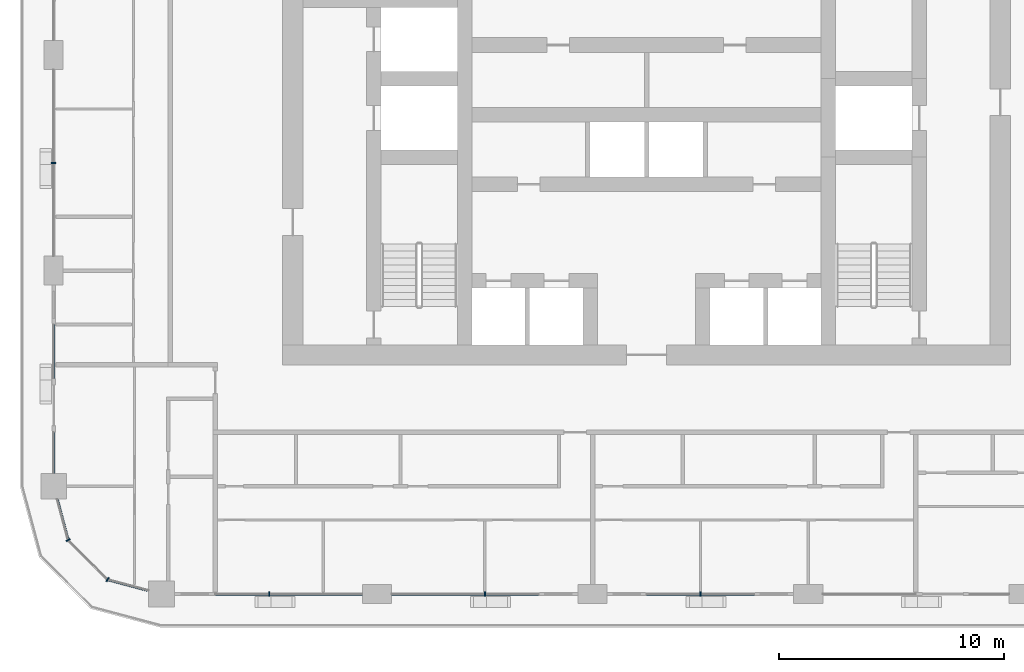
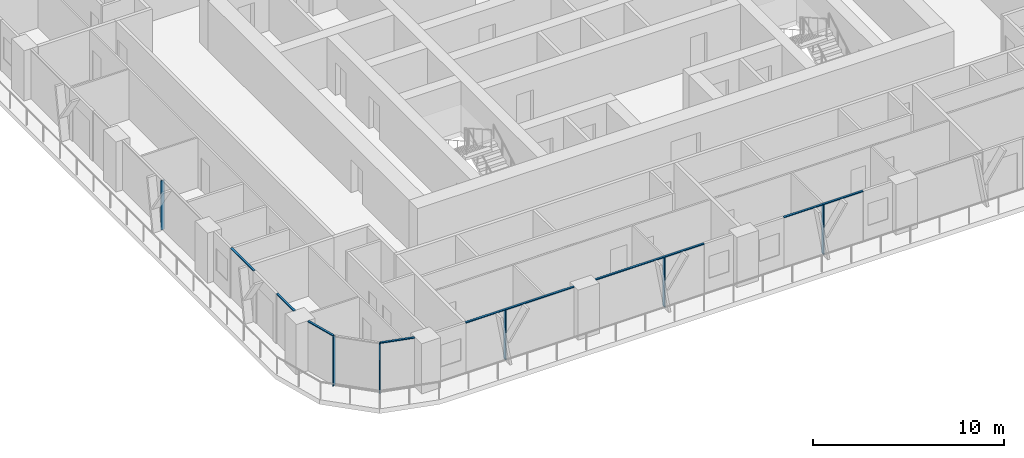
# One storey, part 2 of 21: 13 members, 6 elements without a shape of their own.
"""IFC4 building model written with IfcOpenShell, lengths in metres."""

from ifc_helpers import new_model, si_unit, direction, frame, origin, origin_2d, place, context, subcontext, project, spatial, rectangle, extrude, material, layer, layer_set, material_profile, profile_set, type_object, element, aggregate, save


model = new_model("IFC4")

# Units and contexts
model_context = context("Model", 3, precision=1e-05, world=origin(), true_north=direction((0.0, 1.0)))
body_context = subcontext(model_context, "Body", "Model", "MODEL_VIEW")
ifc_project = project(units=[si_unit("LENGTHUNIT", "METRE"), si_unit("AREAUNIT", "SQUARE_METRE"), si_unit("VOLUMEUNIT", "CUBIC_METRE"), si_unit("PLANEANGLEUNIT", "RADIAN"), si_unit("MASSUNIT", "GRAM", prefix="KILO")], contexts=[model_context])

# Site, building, storey
site_placement = place(None, origin())
site = spatial("IfcSite", under=ifc_project, at=site_placement, CompositionType="ELEMENT")
building_placement = place(site_placement, origin())
building = spatial("IfcBuilding", under=site, at=building_placement, Name="Madar Terraces", CompositionType="ELEMENT")
storey_placement = place(building_placement, frame((0.0, 0.0, 96.199951171875)))
storey = spatial("IfcBuildingStorey", under=building, at=storey_placement, Name="L24", CompositionType="ELEMENT", Elevation=96.199951171875)

# Curtain wall, member
ifc_material_1 = material(Name="Glass, ceramic frit dark grey, with black aluminium frame", Category="aluminium")
ifc_layer = layer(ifc_material_1, 0.199951171875)
ifc_layer_set = layer_set([ifc_layer], Name="Facade curtain wall, fritted glass")
curtain_wall_type = type_object("IfcCurtainWallType", Name="Facade curtain wall, fritted glass", PredefinedType="NOTDEFINED", material=ifc_layer_set)
curtain_wall_1_placement = place(storey_placement, origin())
curtain_wall_1 = element("IfcCurtainWall", 1, at=curtain_wall_1_placement, inside=storey, type_object=curtain_wall_type, Name="Outer skin curtain wall south bay 1", PredefinedType="NOTDEFINED")
ifc_material_2 = material(Name="Aluminium, black anodised", Category="aluminium")
ifc_material_profile_1 = material_profile(ifc_material_2, rectangle(XDim=0.199951171875, YDim=0.06005859375, at=origin_2d()), Name="Facade mullion 60x200")
ifc_profile_set_1 = profile_set([ifc_material_profile_1], Name="Aluminium, black anodised")
member_type_1 = type_object("IfcMemberType", Name="Facade mullion 60x200", PredefinedType="MULLION", material=ifc_profile_set_1)
member_1_placement = place(storey_placement, frame((14.39990234375, 4.800048828125, 0.0), z_axis=(0.0, 0.0, 1.0), x_axis=(0.0, 1.0, 0.0)))
member_1 = element("IfcMember", 2, at=member_1_placement, type_object=member_type_1, Name="Mullion 1", PredefinedType="MULLION", context=body_context, shape_type="SweptSolid", body=[
    extrude(rectangle(XDim=0.199951171875, YDim=0.06005859375, at=origin_2d()), origin(), (0.0, 0.0, 1.0), 3.14013671875),
])

curtain_wall_2_placement = place(storey_placement, origin())
curtain_wall_2 = element("IfcCurtainWall", 3, at=curtain_wall_2_placement, inside=storey, type_object=curtain_wall_type, Name="Outer skin curtain wall south bay 2", PredefinedType="NOTDEFINED")
member_2_placement = place(storey_placement, frame((24.0, 4.800048828125, 0.0), z_axis=(0.0, 0.0, 1.0), x_axis=(0.0, 1.0, 0.0)))
member_2 = element("IfcMember", 4, at=member_2_placement, type_object=member_type_1, Name="Mullion 1", PredefinedType="MULLION", context=body_context, shape_type="SweptSolid", body=[
    extrude(rectangle(XDim=0.199951171875, YDim=0.06005859375, at=origin_2d()), origin(), (0.0, 0.0, 1.0), 3.14013671875),
])

curtain_wall_3_placement = place(storey_placement, origin())
curtain_wall_3 = element("IfcCurtainWall", 5, at=curtain_wall_3_placement, inside=storey, type_object=curtain_wall_type, Name="Outer skin curtain wall south bay 3", PredefinedType="NOTDEFINED")
member_3_placement = place(storey_placement, frame((33.60009765625, 4.800048828125, 0.0), z_axis=(0.0, 0.0, 1.0), x_axis=(0.0, 1.0, 0.0)))
member_3 = element("IfcMember", 6, at=member_3_placement, type_object=member_type_1, Name="Mullion 1", PredefinedType="MULLION", context=body_context, shape_type="SweptSolid", body=[
    extrude(rectangle(XDim=0.199951171875, YDim=0.06005859375, at=origin_2d()), origin(), (0.0, 0.0, 1.0), 3.14013671875),
])

curtain_wall_4_placement = place(storey_placement, origin())
curtain_wall_4 = element("IfcCurtainWall", 7, at=curtain_wall_4_placement, inside=storey, type_object=curtain_wall_type, Name="Outer skin curtain wall west bay 3", PredefinedType="NOTDEFINED")
member_4_placement = place(storey_placement, frame((4.800048828125, 24.0, 0.0), z_axis=(0.0, 0.0, 1.0), x_axis=(1.0, 0.0, 0.0)))
member_4 = element("IfcMember", 8, at=member_4_placement, type_object=member_type_1, Name="Mullion 1", PredefinedType="MULLION", context=body_context, shape_type="SweptSolid", body=[
    extrude(rectangle(XDim=0.199951171875, YDim=0.06005859375, at=origin_2d()), origin(), (0.0, 0.0, 1.0), 3.14013671875),
])
aggregate(curtain_wall_4, [member_4])

# Curtain wall, members
curtain_wall_5_placement = place(storey_placement, origin())
curtain_wall_5 = element("IfcCurtainWall", 9, at=curtain_wall_5_placement, inside=storey, type_object=curtain_wall_type, Name="Outer skin curtain wall south-west corner", PredefinedType="NOTDEFINED")
member_5_placement = place(storey_placement, frame((5.443115234375, 7.199951171875, 0.0), z_axis=(0.0, 0.0, 1.0), x_axis=(0.866025409797, 0.499999989586, 0.0)))
member_5 = element("IfcMember", 10, at=member_5_placement, type_object=member_type_1, Name="Mullion 1", PredefinedType="MULLION", context=body_context, shape_type="SweptSolid", body=[
    extrude(rectangle(XDim=0.199951171875, YDim=0.06005859375, at=origin_2d()), origin(), (0.0, 0.0, 1.0), 3.14013671875),
])
member_6_placement = place(storey_placement, frame((7.199951171875, 5.443115234375, 0.0), z_axis=(0.0, 0.0, 1.0), x_axis=(0.499999989586, 0.866025409797, 0.0)))
member_6 = element("IfcMember", 11, at=member_6_placement, type_object=member_type_1, Name="Mullion 2", PredefinedType="MULLION", context=body_context, shape_type="SweptSolid", body=[
    extrude(rectangle(XDim=0.199951171875, YDim=0.06005859375, at=origin_2d()), origin(), (0.0, 0.0, 1.0), 3.14013671875),
])

# Member
ifc_material_3 = material(Name="Aluminium, black anodised", Category="aluminium")
ifc_material_profile_2 = material_profile(ifc_material_3, rectangle(XDim=0.1201171875, YDim=0.06005859375, at=origin_2d()), Name="Facade transom 60x120")
ifc_profile_set_2 = profile_set([ifc_material_profile_2], Name="Aluminium, black anodised")
member_type_2 = type_object("IfcMemberType", Name="Facade transom 60x120", PredefinedType="USERDEFINED", material=ifc_profile_set_2)
member_7_placement = place(storey_placement, frame((12.0, 4.800048828125, 3.170166015625), z_axis=(1.0, 0.0, 0.0), x_axis=(0.0, 1.0, 0.0)))
member_7 = element("IfcMember", 12, at=member_7_placement, type_object=member_type_2, Name="Transom 1", ObjectType="TRANSOM", PredefinedType="USERDEFINED", context=body_context, shape_type="SweptSolid", body=[
    extrude(rectangle(XDim=0.1201171875, YDim=0.06005859375, at=origin_2d()), origin(), (0.0, 0.0, 1.0), 6.550048828125),
])

aggregate(curtain_wall_1, [member_1, member_7])

member_8_placement = place(storey_placement, frame((19.85009765625, 4.800048828125, 3.170166015625), z_axis=(1.0, 0.0, 0.0), x_axis=(0.0, 1.0, 0.0)))
member_8 = element("IfcMember", 13, at=member_8_placement, type_object=member_type_2, Name="Transom 1", ObjectType="TRANSOM", PredefinedType="USERDEFINED", context=body_context, shape_type="SweptSolid", body=[
    extrude(rectangle(XDim=0.1201171875, YDim=0.06005859375, at=origin_2d()), origin(), (0.0, 0.0, 1.0), 6.5498046875),
])

aggregate(curtain_wall_2, [member_2, member_8])

member_9_placement = place(storey_placement, frame((31.199951171875, 4.800048828125, 3.170166015625), z_axis=(1.0, 0.0, 0.0), x_axis=(0.0, 1.0, 0.0)))
member_9 = element("IfcMember", 14, at=member_9_placement, type_object=member_type_2, Name="Transom 1", ObjectType="TRANSOM", PredefinedType="USERDEFINED", context=body_context, shape_type="SweptSolid", body=[
    extrude(rectangle(XDim=0.1201171875, YDim=0.06005859375, at=origin_2d()), origin(), (0.0, 0.0, 1.0), 4.800048828125),
])

aggregate(curtain_wall_3, [member_3, member_9])

# Curtain wall, members
curtain_wall_6_placement = place(storey_placement, origin())
curtain_wall_6 = element("IfcCurtainWall", 15, at=curtain_wall_6_placement, inside=storey, type_object=curtain_wall_type, Name="Outer skin curtain wall west bay 4", PredefinedType="NOTDEFINED")
member_10_placement = place(storey_placement, frame((4.800048828125, 16.800048828125, 3.170166015625), z_axis=(0.0, -1.0, 0.0), x_axis=(1.0, 0.0, 0.0)))
member_10 = element("IfcMember", 16, at=member_10_placement, type_object=member_type_2, Name="Transom 1", ObjectType="TRANSOM", PredefinedType="USERDEFINED", context=body_context, shape_type="SweptSolid", body=[
    extrude(rectangle(XDim=0.1201171875, YDim=0.06005859375, at=origin_2d()), origin(), (0.0, 0.0, 1.0), 2.400146484375),
])
member_11_placement = place(storey_placement, frame((4.800048828125, 12.0, 3.170166015625), z_axis=(0.0, -1.0, 0.0), x_axis=(1.0, 0.0, 0.0)))
member_11 = element("IfcMember", 17, at=member_11_placement, type_object=member_type_2, Name="Transom 2", ObjectType="TRANSOM", PredefinedType="USERDEFINED", context=body_context, shape_type="SweptSolid", body=[
    extrude(rectangle(XDim=0.1201171875, YDim=0.06005859375, at=origin_2d()), origin(), (0.0, 0.0, 1.0), 1.824951171875),
])
aggregate(curtain_wall_6, [member_10, member_11])

# Member
member_12_placement = place(storey_placement, frame((4.9541015625, 9.02490234375, 3.170166015625), z_axis=(0.258814847786, -0.965926950947, 0.0), x_axis=(0.965926950947, 0.258814847786, 0.0)))
member_12 = element("IfcMember", 18, at=member_12_placement, type_object=member_type_2, Name="Transom 1", ObjectType="TRANSOM", PredefinedType="USERDEFINED", context=body_context, shape_type="SweptSolid", body=[
    extrude(rectangle(XDim=0.1201171875, YDim=0.06005859375, at=origin_2d()), origin(), (0.0, 0.0, 1.0), 1.859130859375),
])

member_13_placement = place(storey_placement, frame((7.22900390625, 5.435302734375, 3.170166015625), z_axis=(0.965926950947, -0.258814847786, 0.0), x_axis=(0.258814847786, 0.965926950947, 0.0)))
member_13 = element("IfcMember", 19, at=member_13_placement, type_object=member_type_2, Name="Transom 3", ObjectType="TRANSOM", PredefinedType="USERDEFINED", context=body_context, shape_type="SweptSolid", body=[
    extrude(rectangle(XDim=0.1201171875, YDim=0.06005859375, at=origin_2d()), origin(), (0.0, 0.0, 1.0), 1.859130859375),
])

aggregate(curtain_wall_5, [member_5, member_12, member_6, member_13])

save(model, "model.ifc")
